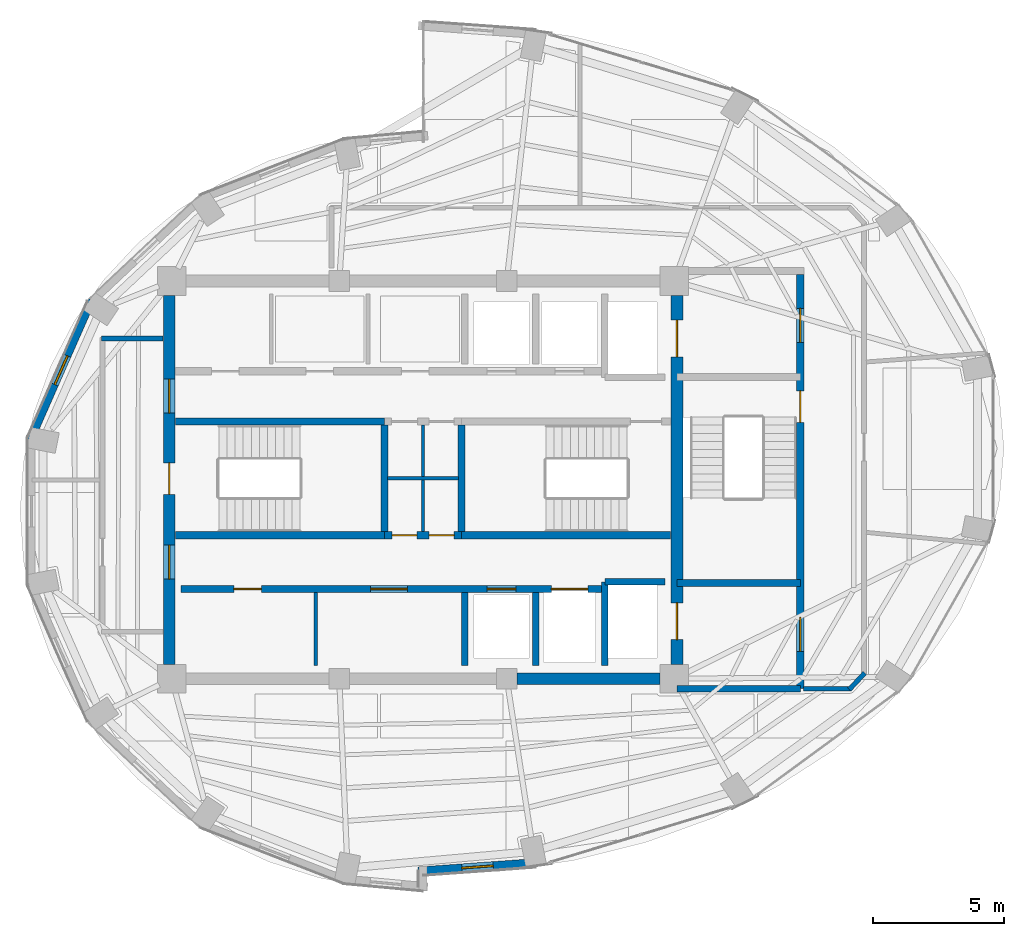
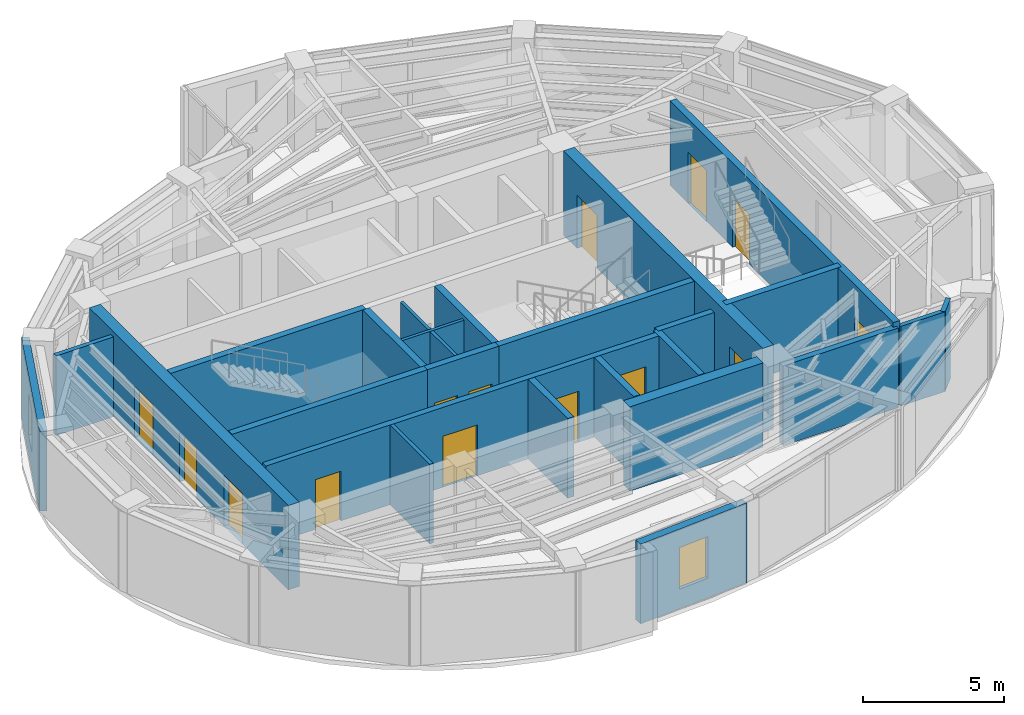
# One storey, part 11 of 15: 25 walls, 14 doors, 2 windows, 16 openings.
"""IFC4 building model written with IfcOpenShell, lengths in metres."""

from ifc_helpers import new_model, si_unit, direction, frame, frame_2d, origin, place, context, subcontext, project, spatial, rectangle, extrude, material, layer, layer_set, type_object, element, fill, save


model = new_model("IFC4")

# Units and contexts
model_context = context("Model", 3, precision=1e-05, world=origin(), true_north=direction((0.0, 1.0)))
body_context = subcontext(model_context, "Body", "Model", "MODEL_VIEW")
ifc_project = project(units=[si_unit("LENGTHUNIT", "METRE"), si_unit("AREAUNIT", "SQUARE_METRE"), si_unit("VOLUMEUNIT", "CUBIC_METRE"), si_unit("PLANEANGLEUNIT", "RADIAN"), si_unit("MASSUNIT", "GRAM", prefix="KILO")], contexts=[model_context])

# Site, building, storey
site_placement = place(None, origin())
site = spatial("IfcSite", under=ifc_project, at=site_placement, CompositionType="ELEMENT")
building_placement = place(site_placement, origin())
building = spatial("IfcBuilding", under=site, at=building_placement, Name="Lazwardi Medical Tower", CompositionType="ELEMENT")
storey_placement = place(building_placement, frame((0.0, 0.0, 284.2080078125)))
storey = spatial("IfcBuildingStorey", under=building, at=storey_placement, Name="L74", CompositionType="ELEMENT", Elevation=284.2080078125)

# Walls
ifc_material_1 = material(Name="Fire-rated gypsum board on steel stud", Category="steel")
ifc_layer_1 = layer(ifc_material_1, 0.179931640625)
ifc_layer_set_1 = layer_set([ifc_layer_1], Name="Fire-rated gypsum board on steel stud")
wall_type_1 = type_object("IfcWallType", Name="WL-COR-180", PredefinedType="PARTITIONING", material=ifc_layer_set_1)
wall_1_placement = place(storey_placement, frame((52.877197265625, 20.619140625, 0.0), z_axis=(0.0, 0.0, 1.0), x_axis=(-0.682409308253, -0.730970270264, 0.0)))
element("IfcWall", 1, at=wall_1_placement, inside=storey, type_object=wall_type_1, Name="L74 Corridor partition 5", PredefinedType="PARTITIONING", context=body_context, shape_type="SweptSolid", body=[
    extrude(rectangle(XDim=0.859619140625, YDim=0.179931640625, at=frame_2d((0.4296875, 0.0))), origin(), (0.0, 0.0, 1.0), 3.447998046875),
])
wall_2_placement = place(storey_placement, frame((52.35791015625, 20.02001953125, 0.0), z_axis=(0.0, 0.0, 1.0), x_axis=(-1.0, 0.0, 0.0)))
element("IfcWall", 2, at=wall_2_placement, inside=storey, type_object=wall_type_1, Name="L74 Corridor partition 6", PredefinedType="PARTITIONING", context=body_context, shape_type="SweptSolid", body=[
    extrude(rectangle(XDim=1.81787109375, YDim=0.179931640625, at=frame_2d((0.908935546875, 0.0))), origin(), (0.0, 0.0, 1.0), 3.447998046875),
])
wall_3_placement = place(storey_placement, frame((23.7099609375, 33.39990234375, 0.0), z_axis=(0.0, 0.0, 1.0), x_axis=(1.0, 0.0, 0.0)))
element("IfcWall", 3, at=wall_3_placement, inside=storey, type_object=wall_type_1, Name="L74 Corridor partition 9", PredefinedType="PARTITIONING", context=body_context, shape_type="SweptSolid", body=[
    extrude(rectangle(XDim=2.35009765625, YDim=0.179931640625, at=frame_2d((1.175048828125, 0.0))), origin(), (0.0, 0.0, 1.0), 3.447998046875),
])

# Wall, openings, doors
ifc_material_2 = material(Name="Concrete C60/75", Category="concrete")
ifc_layer_2 = layer(ifc_material_2, 0.449951171875)
ifc_layer_set_2 = layer_set([ifc_layer_2], Name="Concrete C60/75")
wall_type_2 = type_object("IfcWallType", Name="WL-CORE-450", PredefinedType="SHEAR", material=ifc_layer_set_2)
wall_4_placement = place(storey_placement, frame((26.300048828125, 20.949951171875, 0.0), z_axis=(0.0, 0.0, 1.0), x_axis=(0.0, 1.0, 0.0)))
wall_4 = element("IfcWall", 4, at=wall_4_placement, inside=storey, type_object=wall_type_2, Name="Core wall CW-S4 west L74", PredefinedType="SHEAR", context=body_context, shape_type="SweptSolid", body=[
    extrude(rectangle(XDim=14.10009765625, YDim=0.449951171875, at=frame_2d((7.050048828125, 0.0))), origin(), (0.0, 0.0, 1.0), 3.64794921875),
])
opening_1_placement = place(wall_4_placement, frame((6.5, 0.0, 0.0)))
opening_1 = element("IfcOpeningElement", 5, at=opening_1_placement, cuts=wall_4, Name="Opening D-L74-018", PredefinedType="OPENING", context=body_context, shape_type="SweptSolid", body=[
    extrude(rectangle(XDim=1.199951171875, YDim=2.14990234375, at=frame_2d((0.60009765625, 1.074951171875))), frame((0.0, 0.23486328125, 0.0), z_axis=(0.0, -1.0, 0.0), x_axis=(1.0, 0.0, 0.0)), (0.0, 0.0, 1.0), 0.469970703125),
])
opening_2_placement = place(wall_4_placement, frame((9.60009765625, 0.0, 0.0)))
opening_2 = element("IfcOpeningElement", 6, at=opening_2_placement, cuts=wall_4, Name="Opening D-L74-012", PredefinedType="OPENING", context=body_context, shape_type="SweptSolid", body=[
    extrude(rectangle(XDim=1.300048828125, YDim=2.199951171875, at=frame_2d((0.64990234375, 1.10009765625))), frame((0.0, 0.23486328125, 0.0), z_axis=(0.0, -1.0, 0.0), x_axis=(1.0, 0.0, 0.0)), (0.0, 0.0, 1.0), 0.469970703125),
])
opening_3_placement = place(wall_4_placement, frame((3.260009765625, 0.0, 0.0)))
opening_3 = element("IfcOpeningElement", 7, at=opening_3_placement, cuts=wall_4, Name="Opening D-L74-013", PredefinedType="OPENING", context=body_context, shape_type="SweptSolid", body=[
    extrude(rectangle(XDim=1.300048828125, YDim=2.199951171875, at=frame_2d((0.64990234375, 1.10009765625))), frame((0.0, 0.23486328125, 0.0), z_axis=(0.0, -1.0, 0.0), x_axis=(1.0, 0.0, 0.0)), (0.0, 0.0, 1.0), 0.469970703125),
])
ifc_material_3 = material(Name="Fire-rated steel leaf and frame", Category="steel")
door_type_1 = type_object("IfcDoorType", Name="DR-FFL-1300", OperationType="NOTDEFINED", PredefinedType="DOOR", material=ifc_material_3)
door_1_placement = place(opening_2_placement, origin())
door_1 = element("IfcDoor", 8, at=door_1_placement, inside=storey, type_object=door_type_1, Name="L74 North Lift Lobby Door", OperationType="SINGLE_SWING_RIGHT", OverallHeight=2.199951171875, OverallWidth=1.300048828125, PredefinedType="DOOR", context=body_context, shape_type="SweptSolid", body=[
    extrude(rectangle(XDim=1.300048828125, YDim=2.199951171875, at=frame_2d((0.64990234375, 1.10009765625))), frame((0.0, 0.02490234375, 0.0), z_axis=(0.0, -1.0, 0.0), x_axis=(1.0, 0.0, 0.0)), (0.0, 0.0, 1.0), 0.050048828125),
])
fill(opening_2, door_1)
door_2_placement = place(opening_3_placement, origin())
door_2 = element("IfcDoor", 9, at=door_2_placement, inside=storey, type_object=door_type_1, Name="L74 South Lift Lobby Door", OperationType="SINGLE_SWING_LEFT", OverallHeight=2.199951171875, OverallWidth=1.300048828125, PredefinedType="DOOR", context=body_context, shape_type="SweptSolid", body=[
    extrude(rectangle(XDim=1.300048828125, YDim=2.199951171875, at=frame_2d((0.64990234375, 1.10009765625))), frame((0.0, 0.02490234375, 0.0), z_axis=(0.0, -1.0, 0.0), x_axis=(1.0, 0.0, 0.0)), (0.0, 0.0, 1.0), 0.050048828125),
])
fill(opening_3, door_2)
door_type_2 = type_object("IfcDoorType", Name="DR-STR-1200", OperationType="NOTDEFINED", PredefinedType="DOOR", material=ifc_material_3)
door_3_placement = place(opening_1_placement, origin())
door_3 = element("IfcDoor", 10, at=door_3_placement, inside=storey, type_object=door_type_2, Name="L74 Exit Stair ST1 Door", OperationType="SINGLE_SWING_RIGHT", OverallHeight=2.14990234375, OverallWidth=1.199951171875, PredefinedType="DOOR", context=body_context, shape_type="SweptSolid", body=[
    extrude(rectangle(XDim=1.199951171875, YDim=2.14990234375, at=frame_2d((0.60009765625, 1.074951171875))), frame((0.0, 0.02490234375, 0.0), z_axis=(0.0, -1.0, 0.0), x_axis=(1.0, 0.0, 0.0)), (0.0, 0.0, 1.0), 0.050048828125),
])
fill(opening_1, door_3)

wall_5_placement = place(storey_placement, frame((45.699951171875, 20.949951171875, 0.0), z_axis=(0.0, 0.0, 1.0), x_axis=(0.0, 1.0, 0.0)))
wall_5 = element("IfcWall", 11, at=wall_5_placement, inside=storey, type_object=wall_type_2, Name="Core wall CW-S4 east L74", PredefinedType="SHEAR", context=body_context, shape_type="SweptSolid", body=[
    extrude(rectangle(XDim=14.10009765625, YDim=0.449951171875, at=frame_2d((7.050048828125, 0.0))), origin(), (0.0, 0.0, 1.0), 3.64794921875),
])
opening_4_placement = place(wall_5_placement, frame((11.75, 0.0, 0.0)))
opening_4 = element("IfcOpeningElement", 12, at=opening_4_placement, cuts=wall_5, Name="Opening LD-L74-001", PredefinedType="OPENING", context=body_context, shape_type="SweptSolid", body=[
    extrude(rectangle(XDim=1.39990234375, YDim=2.300048828125, at=frame_2d((0.699951171875, 1.14990234375))), frame((0.0, 0.23486328125, 0.0), z_axis=(0.0, -1.0, 0.0), x_axis=(1.0, 0.0, 0.0)), (0.0, 0.0, 1.0), 0.469970703125),
])
opening_5_placement = place(wall_5_placement, frame((0.949951171875, 0.0, 0.0)))
opening_5 = element("IfcOpeningElement", 13, at=opening_5_placement, cuts=wall_5, Name="Opening LD-L74-002", PredefinedType="OPENING", context=body_context, shape_type="SweptSolid", body=[
    extrude(rectangle(XDim=1.39990234375, YDim=2.300048828125, at=frame_2d((0.699951171875, 1.14990234375))), frame((0.0, 0.23486328125, 0.0), z_axis=(0.0, -1.0, 0.0), x_axis=(1.0, 0.0, 0.0)), (0.0, 0.0, 1.0), 0.469970703125),
])
ifc_material_4 = material(Name="Brushed stainless steel bed-lift landing door", Category="steel")
door_type_3 = type_object("IfcDoorType", Name="DR-LFT-1400", OperationType="NOTDEFINED", PredefinedType="DOOR", material=ifc_material_4)
door_4_placement = place(opening_4_placement, origin())
door_4 = element("IfcDoor", 14, at=door_4_placement, inside=storey, type_object=door_type_3, Name="L74 Lift Landing Door FL-01", OperationType="SLIDING_TO_LEFT", OverallHeight=2.300048828125, OverallWidth=1.39990234375, PredefinedType="DOOR", context=body_context, shape_type="SweptSolid", body=[
    extrude(rectangle(XDim=1.39990234375, YDim=2.300048828125, at=frame_2d((0.699951171875, 1.14990234375))), frame((0.0, 0.02490234375, 0.0), z_axis=(0.0, -1.0, 0.0), x_axis=(1.0, 0.0, 0.0)), (0.0, 0.0, 1.0), 0.050048828125),
])
fill(opening_4, door_4)
door_5_placement = place(opening_5_placement, origin())
door_5 = element("IfcDoor", 15, at=door_5_placement, inside=storey, type_object=door_type_3, Name="L74 Lift Landing Door FL-02", OperationType="SLIDING_TO_LEFT", OverallHeight=2.300048828125, OverallWidth=1.39990234375, PredefinedType="DOOR", context=body_context, shape_type="SweptSolid", body=[
    extrude(rectangle(XDim=1.39990234375, YDim=2.300048828125, at=frame_2d((0.699951171875, 1.14990234375))), frame((0.0, 0.02490234375, 0.0), z_axis=(0.0, -1.0, 0.0), x_axis=(1.0, 0.0, 0.0)), (0.0, 0.0, 1.0), 0.050048828125),
])
fill(opening_5, door_5)

# Wall
wall_6_placement = place(storey_placement, frame((39.60009765625, 20.39990234375, 0.0), z_axis=(0.0, 0.0, 1.0), x_axis=(1.0, 0.0, 0.0)))
element("IfcWall", 16, at=wall_6_placement, inside=storey, type_object=wall_type_2, Name="Core wall CW-S4 S3 L74", PredefinedType="SHEAR", context=body_context, shape_type="SweptSolid", body=[
    extrude(rectangle(XDim=5.449951171875, YDim=0.449951171875, at=frame_2d((2.72509765625, 0.0))), origin(), (0.0, 0.0, 1.0), 3.64794921875),
])

# Wall, opening, window
ifc_material_5 = material(Name="Precast concrete C45/55", Category="concrete")
ifc_layer_3 = layer(ifc_material_5, 0.280029296875)
ifc_layer_set_3 = layer_set([ifc_layer_3], Name="Precast concrete C45/55")
wall_type_3 = type_object("IfcWallType", Name="WL-DRUM-280", PredefinedType="SOLIDWALL", material=ifc_layer_set_3)
wall_7_placement = place(storey_placement, frame((23.35205078125, 34.869384765625, 0.0), z_axis=(0.0, 0.0, 1.0), x_axis=(-0.402882523888, -0.915251698685, 0.0)))
wall_7 = element("IfcWall", 17, at=wall_7_placement, inside=storey, type_object=wall_type_3, Name="L74 West Drum Precast Wall 3", PredefinedType="SOLIDWALL", context=body_context, shape_type="SweptSolid", body=[
    extrude(rectangle(XDim=5.855712890625, YDim=0.280029296875, at=frame_2d((2.927734375, 0.0))), origin(), (0.0, 0.0, 1.0), 3.447998046875),
])
opening_6_placement = place(wall_7_placement, frame((2.327880859375, 0.0, 0.85009765625)))
opening_6 = element("IfcOpeningElement", 18, at=opening_6_placement, cuts=wall_7, Name="Opening WN-04", PredefinedType="OPENING", context=body_context, shape_type="SweptSolid", body=[
    extrude(rectangle(XDim=1.199951171875, YDim=1.800048828125, at=frame_2d((0.60009765625, 0.89990234375))), frame((0.0, 0.14990234375, 0.0), z_axis=(0.0, -1.0, 0.0), x_axis=(1.0, 0.0, 0.0)), (0.0, 0.0, 1.0), 0.300048828125),
])
ifc_material_6 = material(Name="Low-e bronze solar control double glazing", Category="glass")
window_type = type_object("IfcWindowType", Name="WIN-DRUM-1200", PartitioningType="SINGLE_PANEL", PredefinedType="WINDOW", material=ifc_material_6)
window_1_placement = place(opening_6_placement, origin())
window_1 = element("IfcWindow", 19, at=window_1_placement, inside=storey, type_object=window_type, Name="L74 West Drum Window 3", OverallHeight=1.800048828125, OverallWidth=1.199951171875, PartitioningType="SINGLE_PANEL", PredefinedType="WINDOW", context=body_context, shape_type="SweptSolid", body=[
    extrude(rectangle(XDim=1.199951171875, YDim=1.800048828125, at=frame_2d((0.60009765625, 0.89990234375))), frame((0.0, 0.030029296875, 0.0), z_axis=(0.0, -1.0, 0.0), x_axis=(1.0, 0.0, 0.0)), (0.0, 0.0, 1.0), 0.06005859375),
])
fill(opening_6, window_1)

# Walls
ifc_material_7 = material(Name="Moisture-resistant gypsum board partition")
ifc_layer_4 = layer(ifc_material_7, 0.125)
ifc_layer_set_4 = layer_set([ifc_layer_4], Name="Moisture-resistant gypsum board partition")
wall_type_4 = type_object("IfcWallType", Name="WL-ENS-125", PredefinedType="PARTITIONING", material=ifc_layer_set_4)
wall_8_placement = place(storey_placement, frame((34.64990234375, 28.06005859375, 0.0), z_axis=(0.0, 0.0, 1.0), x_axis=(1.0, 0.0, 0.0)))
element("IfcWall", 20, at=wall_8_placement, inside=storey, type_object=wall_type_4, Name="L74 Core 4-way H divider", PredefinedType="PARTITIONING", context=body_context, shape_type="SweptSolid", body=[
    extrude(rectangle(XDim=2.7001953125, YDim=0.125, at=frame_2d((1.35009765625, 0.0))), origin(), (0.0, 0.0, 1.0), 3.447998046875),
])
wall_9_placement = place(storey_placement, frame((36.0, 26.02001953125, 0.0), z_axis=(0.0, 0.0, 1.0), x_axis=(0.0, 1.0, 0.0)))
element("IfcWall", 21, at=wall_9_placement, inside=storey, type_object=wall_type_4, Name="L74 Core 4-way V divider", PredefinedType="PARTITIONING", context=body_context, shape_type="SweptSolid", body=[
    extrude(rectangle(XDim=4.080078125, YDim=0.125, at=frame_2d((2.0400390625, 0.0))), origin(), (0.0, 0.0, 1.0), 3.447998046875),
])

# Wall, opening, window
ifc_layer_5 = layer(ifc_material_5, 0.320068359375)
ifc_layer_set_5 = layer_set([ifc_layer_5], Name="Precast concrete C45/55")
wall_type_5 = type_object("IfcWallType", Name="WL-IWAN-320", PredefinedType="SOLIDWALL", material=ifc_layer_set_5)
wall_10_placement = place(storey_placement, frame((35.820556640625, 13.047119140625, 0.0), z_axis=(0.0, 0.0, 1.0), x_axis=(0.997409061056, 0.071938619141, 0.0)))
wall_10 = element("IfcWall", 22, at=wall_10_placement, inside=storey, type_object=wall_type_5, Name="L74 Iwan Portal Return Wall SE_ret", PredefinedType="SOLIDWALL", context=body_context, shape_type="SweptSolid", body=[
    extrude(rectangle(XDim=4.540771484375, YDim=0.320068359375, at=frame_2d((2.2705078125, 0.0))), origin(), (0.0, 0.0, 1.0), 3.447998046875),
])
opening_7_placement = place(wall_10_placement, frame((1.67041015625, 0.0, 0.85009765625)))
opening_7 = element("IfcOpeningElement", 23, at=opening_7_placement, cuts=wall_10, Name="Opening WN-04", PredefinedType="OPENING", context=body_context, shape_type="SweptSolid", body=[
    extrude(rectangle(XDim=1.199951171875, YDim=1.800048828125, at=frame_2d((0.60009765625, 0.89990234375))), frame((0.0, 0.169921875, 0.0), z_axis=(0.0, -1.0, 0.0), x_axis=(1.0, 0.0, 0.0)), (0.0, 0.0, 1.0), 0.340087890625),
])
window_2_placement = place(opening_7_placement, origin())
window_2 = element("IfcWindow", 24, at=window_2_placement, inside=storey, type_object=window_type, Name="L74 Iwan Slot Window SE_ret", OverallHeight=1.800048828125, OverallWidth=1.199951171875, PartitioningType="SINGLE_PANEL", PredefinedType="WINDOW", context=body_context, shape_type="SweptSolid", body=[
    extrude(rectangle(XDim=1.199951171875, YDim=1.800048828125, at=frame_2d((0.60009765625, 0.89990234375))), frame((0.0, 0.030029296875, 0.0), z_axis=(0.0, -1.0, 0.0), x_axis=(1.0, 0.0, 0.0)), (0.0, 0.0, 1.0), 0.06005859375),
])
fill(opening_7, window_2)

# Wall, openings, doors
ifc_material_8 = material(Name="Autoclaved aerated concrete blockwork", Category="masonry")
ifc_layer_6 = layer(ifc_material_8, 0.25)
ifc_layer_set_6 = layer_set([ifc_layer_6], Name="Autoclaved aerated concrete blockwork")
wall_type_6 = type_object("IfcWallType", Name="WL-SHAFT-250", PredefinedType="SOLIDWALL", material=ifc_layer_set_6)
wall_11_placement = place(storey_placement, frame((26.75, 23.830078125, 0.0), z_axis=(0.0, 0.0, 1.0), x_axis=(1.0, 0.0, 0.0)))
wall_11 = element("IfcWall", 25, at=wall_11_placement, inside=storey, type_object=wall_type_6, Name="L74 South lift bank front wall", PredefinedType="SOLIDWALL", context=body_context, shape_type="SweptSolid", body=[
    extrude(rectangle(XDim=16.199951171875, YDim=0.25, at=frame_2d((8.10009765625, 0.0))), origin(), (0.0, 0.0, 1.0), 3.447998046875),
])
opening_8_placement = place(wall_11_placement, frame((2.02490234375, 0.0, 0.0)))
opening_8 = element("IfcOpeningElement", 26, at=opening_8_placement, cuts=wall_11, Name="Opening D-L74-008", PredefinedType="OPENING", context=body_context, shape_type="SweptSolid", body=[
    extrude(rectangle(XDim=1.050048828125, YDim=2.14990234375, at=frame_2d((0.52490234375, 1.074951171875))), frame((0.0, 0.135009765625, 0.0), z_axis=(0.0, -1.0, 0.0), x_axis=(1.0, 0.0, 0.0)), (0.0, 0.0, 1.0), 0.27001953125),
])
opening_9_placement = place(wall_11_placement, frame((7.25, 0.0, 0.0)))
opening_9 = element("IfcOpeningElement", 27, at=opening_9_placement, cuts=wall_11, Name="Opening D-L74-009", PredefinedType="OPENING", context=body_context, shape_type="SweptSolid", body=[
    extrude(rectangle(XDim=1.39990234375, YDim=2.199951171875, at=frame_2d((0.699951171875, 1.10009765625))), frame((0.0, 0.135009765625, 0.0), z_axis=(0.0, -1.0, 0.0), x_axis=(1.0, 0.0, 0.0)), (0.0, 0.0, 1.0), 0.27001953125),
])
opening_10_placement = place(wall_11_placement, frame((11.699951171875, 0.0, 0.0)))
opening_10 = element("IfcOpeningElement", 28, at=opening_10_placement, cuts=wall_11, Name="Opening LD-L74-006", PredefinedType="OPENING", context=body_context, shape_type="SweptSolid", body=[
    extrude(rectangle(XDim=1.10009765625, YDim=2.199951171875, at=frame_2d((0.550048828125, 1.10009765625))), frame((0.0, 0.135009765625, 0.0), z_axis=(0.0, -1.0, 0.0), x_axis=(1.0, 0.0, 0.0)), (0.0, 0.0, 1.0), 0.27001953125),
])
opening_11_placement = place(wall_11_placement, frame((14.14990234375, 0.0, 0.0)))
opening_11 = element("IfcOpeningElement", 29, at=opening_11_placement, cuts=wall_11, Name="Opening LD-L74-003", PredefinedType="OPENING", context=body_context, shape_type="SweptSolid", body=[
    extrude(rectangle(XDim=1.39990234375, YDim=2.300048828125, at=frame_2d((0.699951171875, 1.14990234375))), frame((0.0, 0.135009765625, 0.0), z_axis=(0.0, -1.0, 0.0), x_axis=(1.0, 0.0, 0.0)), (0.0, 0.0, 1.0), 0.27001953125),
])
ifc_material_9 = material(Name="Anti-microbial laminate hospital leaf")
door_type_4 = type_object("IfcDoorType", Name="DR-BED-1400", OperationType="NOTDEFINED", PredefinedType="DOOR", material=ifc_material_9)
door_6_placement = place(opening_9_placement, origin())
door_6 = element("IfcDoor", 30, at=door_6_placement, inside=storey, type_object=door_type_4, Name="L74 Dialysis Door", OperationType="SINGLE_SWING_RIGHT", OverallHeight=2.199951171875, OverallWidth=1.39990234375, PredefinedType="DOOR", context=body_context, shape_type="SweptSolid", body=[
    extrude(rectangle(XDim=1.39990234375, YDim=2.199951171875, at=frame_2d((0.699951171875, 1.10009765625))), frame((0.0, 0.02490234375, 0.0), z_axis=(0.0, -1.0, 0.0), x_axis=(1.0, 0.0, 0.0)), (0.0, 0.0, 1.0), 0.050048828125),
])
fill(opening_9, door_6)
door_type_5 = type_object("IfcDoorType", Name="DR-CLN-1050", OperationType="NOTDEFINED", PredefinedType="DOOR", material=ifc_material_9)
door_7_placement = place(opening_8_placement, origin())
door_7 = element("IfcDoor", 31, at=door_7_placement, inside=storey, type_object=door_type_5, Name="L74 Clinical Laboratory Door", OperationType="SINGLE_SWING_LEFT", OverallHeight=2.14990234375, OverallWidth=1.050048828125, PredefinedType="DOOR", context=body_context, shape_type="SweptSolid", body=[
    extrude(rectangle(XDim=1.050048828125, YDim=2.14990234375, at=frame_2d((0.52490234375, 1.074951171875))), frame((0.0, 0.02490234375, 0.0), z_axis=(0.0, -1.0, 0.0), x_axis=(1.0, 0.0, 0.0)), (0.0, 0.0, 1.0), 0.050048828125),
])
fill(opening_8, door_7)
ifc_material_10 = material(Name="Brushed bronze stainless steel landing door", Category="steel")
door_type_6 = type_object("IfcDoorType", Name="DR-LFT-1100", OperationType="NOTDEFINED", PredefinedType="DOOR", material=ifc_material_10)
door_8_placement = place(opening_10_placement, origin())
door_8 = element("IfcDoor", 32, at=door_8_placement, inside=storey, type_object=door_type_6, Name="L74 Lift Landing Door PL-11", OperationType="SLIDING_TO_LEFT", OverallHeight=2.199951171875, OverallWidth=1.10009765625, PredefinedType="DOOR", context=body_context, shape_type="SweptSolid", body=[
    extrude(rectangle(XDim=1.10009765625, YDim=2.199951171875, at=frame_2d((0.550048828125, 1.10009765625))), frame((0.0, 0.02490234375, 0.0), z_axis=(0.0, -1.0, 0.0), x_axis=(1.0, 0.0, 0.0)), (0.0, 0.0, 1.0), 0.050048828125),
])
fill(opening_10, door_8)
door_9_placement = place(opening_11_placement, origin())
door_9 = element("IfcDoor", 33, at=door_9_placement, inside=storey, type_object=door_type_3, Name="L74 Lift Landing Door FL-03", OperationType="SLIDING_TO_LEFT", OverallHeight=2.300048828125, OverallWidth=1.39990234375, PredefinedType="DOOR", context=body_context, shape_type="SweptSolid", body=[
    extrude(rectangle(XDim=1.39990234375, YDim=2.300048828125, at=frame_2d((0.699951171875, 1.14990234375))), frame((0.0, 0.02490234375, 0.0), z_axis=(0.0, -1.0, 0.0), x_axis=(1.0, 0.0, 0.0)), (0.0, 0.0, 1.0), 0.050048828125),
])
fill(opening_11, door_9)

# Walls
wall_12_placement = place(storey_placement, frame((42.949951171875, 20.89990234375, 0.0), z_axis=(0.0, 0.0, 1.0), x_axis=(0.0, 1.0, 0.0)))
element("IfcWall", 34, at=wall_12_placement, inside=storey, type_object=wall_type_6, Name="L74 FL-02 West shaft wall", PredefinedType="SOLIDWALL", context=body_context, shape_type="SweptSolid", body=[
    extrude(rectangle(XDim=3.2001953125, YDim=0.25, at=frame_2d((1.60009765625, 0.0))), origin(), (0.0, 0.0, 1.0), 3.447998046875),
])
wall_13_placement = place(storey_placement, frame((42.949951171875, 24.10009765625, 0.0), z_axis=(0.0, 0.0, 1.0), x_axis=(1.0, 0.0, 0.0)))
element("IfcWall", 35, at=wall_13_placement, inside=storey, type_object=wall_type_6, Name="L74 FL-02 North shaft wall", PredefinedType="SOLIDWALL", context=body_context, shape_type="SweptSolid", body=[
    extrude(rectangle(XDim=2.300048828125, YDim=0.25, at=frame_2d((1.14990234375, 0.0))), origin(), (0.0, 0.0, 1.0), 3.447998046875),
])
for number, where, z_axis, x_axis, name in (
    (36, (37.60009765625, 20.89990234375, 0.0), (0.0, 0.0, 1.0), (0.0, 1.0, 0.0), "L74 South hoistway divider"),
    (37, (40.300048828125, 20.89990234375, 0.0), (0.0, 0.0, 1.0), (0.0, 1.0, 0.0), "L74 South hoistway divider"),
):
    element("IfcWall", number, at=place(storey_placement, frame(where, z_axis=z_axis, x_axis=x_axis)), inside=storey, type_object=wall_type_6, Name=name, PredefinedType="SOLIDWALL", context=body_context, shape_type="SweptSolid", body=[
        extrude(rectangle(XDim=2.800048828125, YDim=0.25, at=frame_2d((1.39990234375, 0.0))), origin(), (0.0, 0.0, 1.0), 3.447998046875),
    ])
wall_14_placement = place(storey_placement, frame((45.699951171875, 20.02001953125, 0.0), z_axis=(0.0, 0.0, 1.0), x_axis=(1.0, 0.0, 0.0)))
element("IfcWall", 38, at=wall_14_placement, inside=storey, type_object=wall_type_6, Name="L74 FFL-S South wall", PredefinedType="SOLIDWALL", context=body_context, shape_type="SweptSolid", body=[
    extrude(rectangle(XDim=4.715087890625, YDim=0.25, at=frame_2d((2.357421875, 0.0))), origin(), (0.0, 0.0, 1.0), 3.447998046875),
])
ifc_material_11 = material(Name="Concrete C50/60", Category="concrete")
ifc_layer_7 = layer(ifc_material_11, 0.27001953125)
ifc_layer_set_7 = layer_set([ifc_layer_7], Name="Concrete C50/60")
wall_type_7 = type_object("IfcWallType", Name="WL-STR-250", PredefinedType="SHEAR", material=ifc_layer_set_7)
for number, where, z_axis, x_axis, name in (
    (39, (26.550048828125, 30.235107421875, 0.0), (0.0, 0.0, 1.0), (1.0, 0.0, 0.0), "L74 ST1 North shear shaft wall SW-S1"),
    (40, (26.550048828125, 25.885009765625, 0.0), (0.0, 0.0, 1.0), (1.0, 0.0, 0.0), "L74 ST1 South shear shaft wall SW-S1"),
):
    element("IfcWall", number, at=place(storey_placement, frame(where, z_axis=z_axis, x_axis=x_axis)), inside=storey, type_object=wall_type_7, Name=name, PredefinedType="SHEAR", context=body_context, shape_type="SweptSolid", body=[
        extrude(rectangle(XDim=7.98486328125, YDim=0.27001953125, at=frame_2d((3.992431640625, 0.0))), origin(), (0.0, 0.0, 1.0), 3.64794921875),
    ])

# Wall, openings, doors
wall_15_placement = place(storey_placement, frame((34.534912109375, 25.885009765625, 0.0), z_axis=(0.0, 0.0, 1.0), x_axis=(1.0, 0.0, 0.0)))
wall_15 = element("IfcWall", 41, at=wall_15_placement, inside=storey, type_object=wall_type_7, Name="L74 Core service South shear wall SW-S1", PredefinedType="SHEAR", context=body_context, shape_type="SweptSolid", body=[
    extrude(rectangle(XDim=2.93017578125, YDim=0.27001953125, at=frame_2d((1.465087890625, 0.0))), origin(), (0.0, 0.0, 1.0), 3.64794921875),
])
opening_12_placement = place(wall_15_placement, frame((0.280029296875, 0.0, 0.0)))
opening_12 = element("IfcOpeningElement", 42, at=opening_12_placement, cuts=wall_15, Name="Opening D-L74-001", PredefinedType="OPENING", context=body_context, shape_type="SweptSolid", body=[
    extrude(rectangle(XDim=0.949951171875, YDim=2.10009765625, at=frame_2d((0.47509765625, 1.050048828125))), frame((0.0, 0.14501953125, 0.0), z_axis=(0.0, -1.0, 0.0), x_axis=(1.0, 0.0, 0.0)), (0.0, 0.0, 1.0), 0.2900390625),
])
opening_13_placement = place(wall_15_placement, frame((1.699951171875, 0.0, 0.0)))
opening_13 = element("IfcOpeningElement", 43, at=opening_13_placement, cuts=wall_15, Name="Opening D-L74-002", PredefinedType="OPENING", context=body_context, shape_type="SweptSolid", body=[
    extrude(rectangle(XDim=0.949951171875, YDim=2.10009765625, at=frame_2d((0.47509765625, 1.050048828125))), frame((0.0, 0.14501953125, 0.0), z_axis=(0.0, -1.0, 0.0), x_axis=(1.0, 0.0, 0.0)), (0.0, 0.0, 1.0), 0.2900390625),
])
ifc_material_12 = material(Name="Moisture-resistant laminate door leaf")
door_type_7 = type_object("IfcDoorType", Name="DR-ENS-950", OperationType="NOTDEFINED", PredefinedType="DOOR", material=ifc_material_12)
door_10_placement = place(opening_12_placement, origin())
door_10 = element("IfcDoor", 44, at=door_10_placement, inside=storey, type_object=door_type_7, Name="L74 Staff WC Door", OperationType="SINGLE_SWING_RIGHT", OverallHeight=2.10009765625, OverallWidth=0.949951171875, PredefinedType="DOOR", context=body_context, shape_type="SweptSolid", body=[
    extrude(rectangle(XDim=0.949951171875, YDim=2.10009765625, at=frame_2d((0.47509765625, 1.050048828125))), frame((0.0, 0.02490234375, 0.0), z_axis=(0.0, -1.0, 0.0), x_axis=(1.0, 0.0, 0.0)), (0.0, 0.0, 1.0), 0.050048828125),
])
fill(opening_12, door_10)
door_11_placement = place(opening_13_placement, origin())
door_11 = element("IfcDoor", 45, at=door_11_placement, inside=storey, type_object=door_type_7, Name="L74 Comms Room Door", OperationType="SINGLE_SWING_LEFT", OverallHeight=2.10009765625, OverallWidth=0.949951171875, PredefinedType="DOOR", context=body_context, shape_type="SweptSolid", body=[
    extrude(rectangle(XDim=0.949951171875, YDim=2.10009765625, at=frame_2d((0.47509765625, 1.050048828125))), frame((0.0, 0.02490234375, 0.0), z_axis=(0.0, -1.0, 0.0), x_axis=(1.0, 0.0, 0.0)), (0.0, 0.0, 1.0), 0.050048828125),
])
fill(opening_13, door_11)

# Walls
wall_16_placement = place(storey_placement, frame((37.465087890625, 25.885009765625, 0.0), z_axis=(0.0, 0.0, 1.0), x_axis=(1.0, 0.0, 0.0)))
element("IfcWall", 46, at=wall_16_placement, inside=storey, type_object=wall_type_7, Name="L74 ST2 South shear shaft wall SW-S1", PredefinedType="SHEAR", context=body_context, shape_type="SweptSolid", body=[
    extrude(rectangle(XDim=7.98486328125, YDim=0.27001953125, at=frame_2d((3.992431640625, 0.0))), origin(), (0.0, 0.0, 1.0), 3.64794921875),
])
for number, where, z_axis, x_axis, name in (
    (47, (34.534912109375, 26.02001953125, 0.0), (0.0, 0.0, 1.0), (0.0, 1.0, 0.0), "L74 ST1 East shear shaft wall SW-S1"),
    (48, (37.465087890625, 26.02001953125, 0.0), (0.0, 0.0, 1.0), (0.0, 1.0, 0.0), "L74 ST2 West shear shaft wall SW-S1"),
):
    element("IfcWall", number, at=place(storey_placement, frame(where, z_axis=z_axis, x_axis=x_axis)), inside=storey, type_object=wall_type_7, Name=name, PredefinedType="SHEAR", context=body_context, shape_type="SweptSolid", body=[
        extrude(rectangle(XDim=4.080078125, YDim=0.27001953125, at=frame_2d((2.0400390625, 0.0))), origin(), (0.0, 0.0, 1.0), 3.64794921875),
    ])

# Wall, openings, doors
wall_17_placement = place(storey_placement, frame((50.4150390625, 35.844970703125, 0.0), z_axis=(0.0, 0.0, 1.0), x_axis=(0.0, -1.0, 0.0)))
wall_17 = element("IfcWall", 49, at=wall_17_placement, inside=storey, type_object=wall_type_7, Name="L74 East ST3 & FFL shear wall SW-S1", PredefinedType="SHEAR", context=body_context, shape_type="SweptSolid", body=[
    extrude(rectangle(XDim=15.824951171875, YDim=0.27001953125, at=frame_2d((7.91259765625, 0.0))), origin(), (0.0, 0.0, 1.0), 3.64794921875),
])
opening_14_placement = place(wall_17_placement, frame((4.445068359375, 0.0, 0.0)))
opening_14 = element("IfcOpeningElement", 50, at=opening_14_placement, cuts=wall_17, Name="Opening D-L74-020", PredefinedType="OPENING", context=body_context, shape_type="SweptSolid", body=[
    extrude(rectangle(XDim=1.199951171875, YDim=2.14990234375, at=frame_2d((0.60009765625, 1.074951171875))), frame((0.0, 0.14501953125, 0.0), z_axis=(0.0, -1.0, 0.0), x_axis=(1.0, 0.0, 0.0)), (0.0, 0.0, 1.0), 0.2900390625),
])
opening_15_placement = place(wall_17_placement, frame((1.294921875, 0.0, 0.0)))
opening_15 = element("IfcOpeningElement", 51, at=opening_15_placement, cuts=wall_17, Name="Opening D-L74-010", PredefinedType="OPENING", context=body_context, shape_type="SweptSolid", body=[
    extrude(rectangle(XDim=1.300048828125, YDim=2.199951171875, at=frame_2d((0.64990234375, 1.10009765625))), frame((0.0, 0.14501953125, 0.0), z_axis=(0.0, -1.0, 0.0), x_axis=(1.0, 0.0, 0.0)), (0.0, 0.0, 1.0), 0.2900390625),
])
opening_16_placement = place(wall_17_placement, frame((13.094970703125, 0.0, 0.0)))
opening_16 = element("IfcOpeningElement", 52, at=opening_16_placement, cuts=wall_17, Name="Opening D-L74-011", PredefinedType="OPENING", context=body_context, shape_type="SweptSolid", body=[
    extrude(rectangle(XDim=1.300048828125, YDim=2.199951171875, at=frame_2d((0.64990234375, 1.10009765625))), frame((0.0, 0.14501953125, 0.0), z_axis=(0.0, -1.0, 0.0), x_axis=(1.0, 0.0, 0.0)), (0.0, 0.0, 1.0), 0.2900390625),
])
door_12_placement = place(opening_15_placement, origin())
door_12 = element("IfcDoor", 53, at=door_12_placement, inside=storey, type_object=door_type_1, Name="L74 Fire-Fighting Lobby North Door", OperationType="SINGLE_SWING_RIGHT", OverallHeight=2.199951171875, OverallWidth=1.300048828125, PredefinedType="DOOR", context=body_context, shape_type="SweptSolid", body=[
    extrude(rectangle(XDim=1.300048828125, YDim=2.199951171875, at=frame_2d((0.64990234375, 1.10009765625))), frame((0.0, 0.02490234375, 0.0), z_axis=(0.0, -1.0, 0.0), x_axis=(1.0, 0.0, 0.0)), (0.0, 0.0, 1.0), 0.050048828125),
])
fill(opening_15, door_12)
door_13_placement = place(opening_16_placement, origin())
door_13 = element("IfcDoor", 54, at=door_13_placement, inside=storey, type_object=door_type_1, Name="L74 Fire-Fighting Lobby South Door", OperationType="SINGLE_SWING_LEFT", OverallHeight=2.199951171875, OverallWidth=1.300048828125, PredefinedType="DOOR", context=body_context, shape_type="SweptSolid", body=[
    extrude(rectangle(XDim=1.300048828125, YDim=2.199951171875, at=frame_2d((0.64990234375, 1.10009765625))), frame((0.0, 0.02490234375, 0.0), z_axis=(0.0, -1.0, 0.0), x_axis=(1.0, 0.0, 0.0)), (0.0, 0.0, 1.0), 0.050048828125),
])
fill(opening_16, door_13)
door_14_placement = place(opening_14_placement, origin())
door_14 = element("IfcDoor", 55, at=door_14_placement, inside=storey, type_object=door_type_2, Name="L74 Exit Stair ST3 Door", OperationType="SINGLE_SWING_LEFT", OverallHeight=2.14990234375, OverallWidth=1.199951171875, PredefinedType="DOOR", context=body_context, shape_type="SweptSolid", body=[
    extrude(rectangle(XDim=1.199951171875, YDim=2.14990234375, at=frame_2d((0.60009765625, 1.074951171875))), frame((0.0, 0.02490234375, 0.0), z_axis=(0.0, -1.0, 0.0), x_axis=(1.0, 0.0, 0.0)), (0.0, 0.0, 1.0), 0.050048828125),
])
fill(opening_14, door_14)

# Walls
wall_18_placement = place(storey_placement, frame((45.699951171875, 24.06494140625, 0.0), z_axis=(0.0, 0.0, 1.0), x_axis=(1.0, 0.0, 0.0)))
element("IfcWall", 56, at=wall_18_placement, inside=storey, type_object=wall_type_7, Name="L74 ST3 South shear shaft wall SW-S1", PredefinedType="SHEAR", context=body_context, shape_type="SweptSolid", body=[
    extrude(rectangle(XDim=4.715087890625, YDim=0.27001953125, at=frame_2d((2.357421875, 0.0))), origin(), (0.0, 0.0, 1.0), 3.64794921875),
])
ifc_material_13 = material(Name="Acoustic gypsum board partition")
ifc_layer_8 = layer(ifc_material_13, 0.14990234375)
ifc_layer_set_8 = layer_set([ifc_layer_8], Name="Acoustic gypsum board partition")
wall_type_8 = type_object("IfcWallType", Name="WL-WRD-150", PredefinedType="PARTITIONING", material=ifc_layer_set_8)
wall_19_placement = place(storey_placement, frame((31.89990234375, 20.89990234375, 0.0), z_axis=(0.0, 0.0, 1.0), x_axis=(0.0, 1.0, 0.0)))
element("IfcWall", 57, at=wall_19_placement, inside=storey, type_object=wall_type_8, Name="L74 Freed bay2 S split", PredefinedType="PARTITIONING", context=body_context, shape_type="SweptSolid", body=[
    extrude(rectangle(XDim=2.800048828125, YDim=0.14990234375, at=frame_2d((1.39990234375, 0.0))), origin(), (0.0, 0.0, 1.0), 3.447998046875),
])

save(model, "model.ifc")
